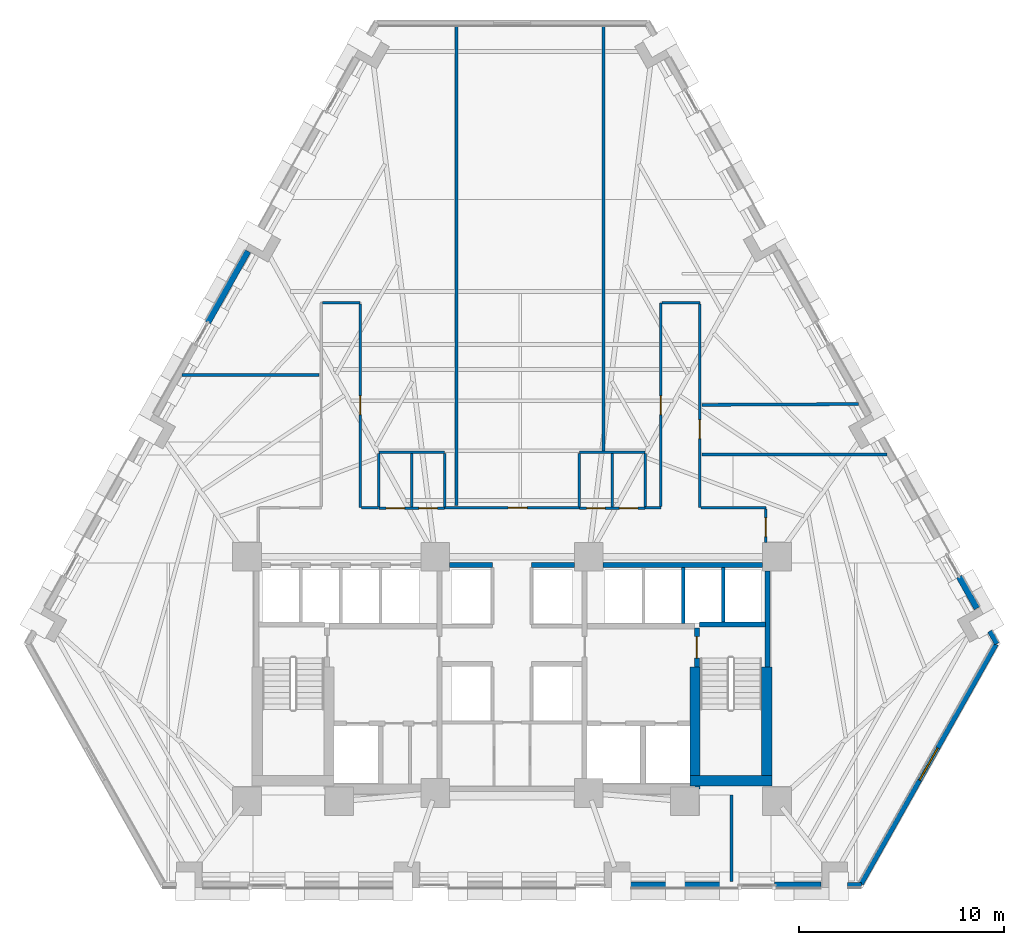
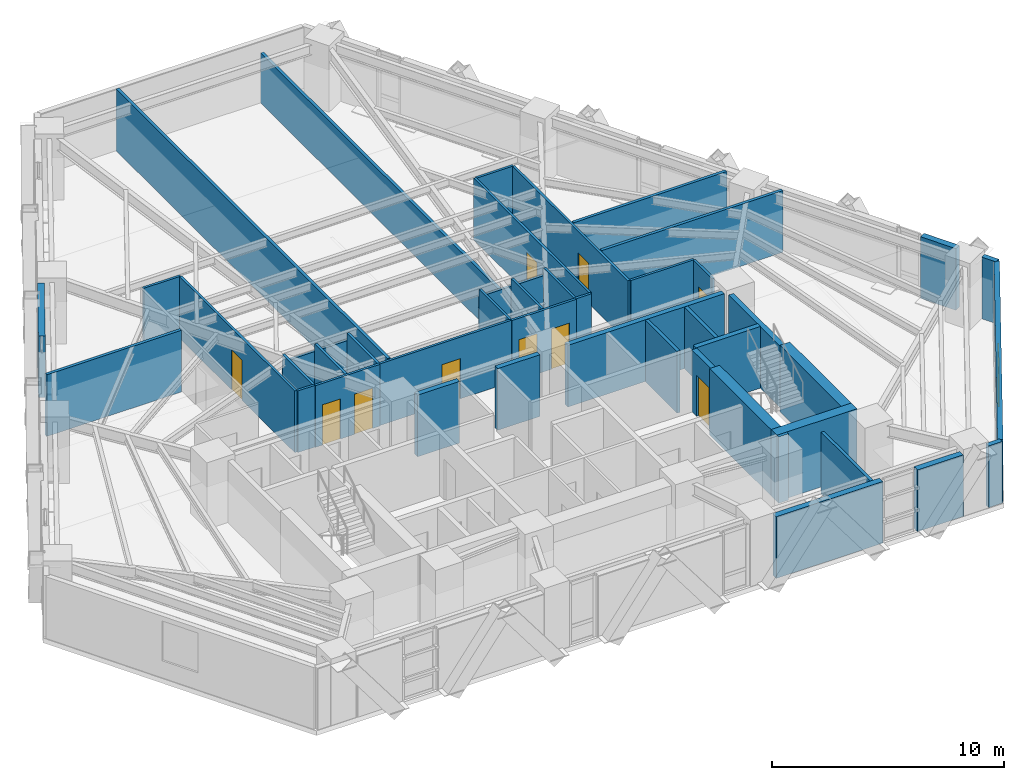
# One storey, part 8 of 13: 44 walls, 10 doors, 1 window, 11 openings.
"""IFC4 building model written with IfcOpenShell, lengths in metres."""

from ifc_helpers import new_model, si_unit, direction, frame, frame_2d, origin, place, context, subcontext, project, spatial, rectangle, extrude, material, layer, layer_set, type_object, element, fill, save


model = new_model("IFC4")

# Units and contexts
model_context = context("Model", 3, precision=1e-05, world=origin(), true_north=direction((0.0, 1.0)))
body_context = subcontext(model_context, "Body", "Model", "MODEL_VIEW")
ifc_project = project(units=[si_unit("LENGTHUNIT", "METRE"), si_unit("AREAUNIT", "SQUARE_METRE"), si_unit("VOLUMEUNIT", "CUBIC_METRE"), si_unit("PLANEANGLEUNIT", "RADIAN"), si_unit("MASSUNIT", "GRAM", prefix="KILO")], contexts=[model_context])

# Site, building, storey
site_placement = place(None, origin())
site = spatial("IfcSite", under=ifc_project, at=site_placement, CompositionType="ELEMENT")
building_placement = place(site_placement, origin())
building = spatial("IfcBuilding", under=site, at=building_placement, Name="Quenlor Broadcast Tower", CompositionType="ELEMENT")
storey_placement = place(building_placement, frame((0.0, 0.0, 66.10009765625)))
storey = spatial("IfcBuildingStorey", under=building, at=storey_placement, Name="L17", CompositionType="ELEMENT", Elevation=66.10009765625)

# Walls
ifc_material_1 = material(Name="Acoustic Double Stud Gypsum Partition", Category="other")
ifc_layer_1 = layer(ifc_material_1, 0.14990234375)
ifc_layer_set_1 = layer_set([ifc_layer_1], Name="Broadcast Studio Acoustic Partition 150")
wall_type_1 = type_object("IfcWallType", Name="Broadcast Studio Acoustic Partition 150", PredefinedType="PARTITIONING", material=ifc_layer_set_1)
wall_1_placement = place(storey_placement, frame((-2.719970703125, 21.14990234375, 0.0), z_axis=(0.0, 0.0, 1.0), x_axis=(0.0, -1.0, 0.0)))
element("IfcWall", 1, at=wall_1_placement, inside=storey, type_object=wall_type_1, Name="L17 Interior Wall PW-DV-01", PredefinedType="PARTITIONING", context=body_context, shape_type="SweptSolid", body=[
    extrude(rectangle(XDim=23.43994140625, YDim=0.14990234375, at=frame_2d((11.719970703125, 0.0))), origin(), (0.0, 0.0, 1.0), 3.25),
])
wall_2_placement = place(storey_placement, frame((-9.429931640625, 4.080078125, 0.0), z_axis=(0.0, 0.0, 1.0), x_axis=(-1.0, 0.0, 0.0)))
element("IfcWall", 2, at=wall_2_placement, inside=storey, type_object=wall_type_1, Name="L17 Interior Wall PW-DV-02", PredefinedType="PARTITIONING", context=body_context, shape_type="SweptSolid", body=[
    extrude(rectangle(XDim=6.70458984375, YDim=0.14990234375, at=frame_2d((3.352294921875, 0.0))), origin(), (0.0, 0.0, 1.0), 3.25),
])
wall_3_placement = place(storey_placement, frame((4.47998046875, 21.14990234375, 0.0), z_axis=(0.0, 0.0, 1.0), x_axis=(0.0, -1.0, 0.0)))
element("IfcWall", 3, at=wall_3_placement, inside=storey, type_object=wall_type_1, Name="L17 Interior Wall PW-DV-03", PredefinedType="PARTITIONING", context=body_context, shape_type="SweptSolid", body=[
    extrude(rectangle(XDim=20.77783203125, YDim=0.14990234375, at=frame_2d((10.388916015625, 0.0))), origin(), (0.0, 0.0, 1.0), 2.63818359375),
])
wall_4_placement = place(storey_placement, frame((16.93359375, 2.65966796875, 0.0), z_axis=(0.0, 0.0, 1.0), x_axis=(-0.999987104292, -0.005078508675, 0.0)))
element("IfcWall", 4, at=wall_4_placement, inside=storey, type_object=wall_type_1, Name="L17 Interior Wall PW-DV-04", PredefinedType="PARTITIONING", context=body_context, shape_type="SweptSolid", body=[
    extrude(rectangle(XDim=7.6435546875, YDim=0.14990234375, at=frame_2d((3.82177734375, 0.0))), origin(), (0.0, 0.0, 1.0), 3.25),
])
wall_5_placement = place(storey_placement, frame((18.317138671875, 0.19970703125, 0.0), z_axis=(0.0, 0.0, 1.0), x_axis=(-1.0, 0.0, 0.0)))
element("IfcWall", 5, at=wall_5_placement, inside=storey, type_object=wall_type_1, Name="L17 Interior Wall PW-DV-05", PredefinedType="PARTITIONING", context=body_context, shape_type="SweptSolid", body=[
    extrude(rectangle(XDim=9.027099609375, YDim=0.14990234375, at=frame_2d((4.513671875, 0.0))), origin(), (0.0, 0.0, 1.0), 3.25),
])
wall_6_placement = place(storey_placement, frame((10.72509765625, -20.68798828125, 0.0), z_axis=(0.0, 0.0, 1.0), x_axis=(0.0, 1.0, 0.0)))
element("IfcWall", 6, at=wall_6_placement, inside=storey, type_object=wall_type_1, Name="L17 Interior Wall PW-DV-06", PredefinedType="PARTITIONING", context=body_context, shape_type="SweptSolid", body=[
    extrude(rectangle(XDim=4.238037109375, YDim=0.14990234375, at=frame_2d((2.119140625, 0.0))), origin(), (0.0, 0.0, 1.0), 3.25),
])
ifc_material_2 = material(Name="Concrete C65/80", Category="concrete")
ifc_layer_2 = layer(ifc_material_2, 0.5)
ifc_layer_set_2 = layer_set([ifc_layer_2], Name="Core Concrete C65/80 Shear Wall 500")
wall_type_2 = type_object("IfcWallType", Name="Core Concrete C65/80 Shear Wall 500", PredefinedType="SHEAR", material=ifc_layer_set_2)
wall_7_placement = place(storey_placement, frame((8.699951171875, -15.75, 0.0), z_axis=(0.0, 0.0, 1.0), x_axis=(1.0, 0.0, 0.0)))
element("IfcWall", 7, at=wall_7_placement, inside=storey, type_object=wall_type_2, Name="L17 Core Shear Wall WS-E2", PredefinedType="SHEAR", context=body_context, shape_type="SweptSolid", body=[
    extrude(rectangle(XDim=4.0, YDim=0.5, at=frame_2d((2.0, 0.0))), origin(), (0.0, 0.0, 1.0), 3.5),
])
wall_8_placement = place(storey_placement, frame((12.449951171875, -15.75, 0.0), z_axis=(0.0, 0.0, 1.0), x_axis=(0.0, 1.0, 0.0)))
element("IfcWall", 8, at=wall_8_placement, inside=storey, type_object=wall_type_2, Name="L17 Core Shear Wall WF-E", PredefinedType="SHEAR", context=body_context, shape_type="SweptSolid", body=[
    extrude(rectangle(XDim=5.550048828125, YDim=0.5, at=frame_2d((2.77490234375, 0.0))), origin(), (0.0, 0.0, 1.0), 3.5),
])
wall_9_placement = place(storey_placement, frame((8.949951171875, -16.14990234375, 0.0), z_axis=(0.0, 0.0, 1.0), x_axis=(0.0, 1.0, 0.0)))
element("IfcWall", 9, at=wall_9_placement, inside=storey, type_object=wall_type_2, Name="L17 Core Shear Wall WI-E", PredefinedType="SHEAR", context=body_context, shape_type="SweptSolid", body=[
    extrude(rectangle(XDim=5.949951171875, YDim=0.5, at=frame_2d((2.97509765625, 0.0))), origin(), (0.0, 0.0, 1.0), 3.5),
])

# Wall, opening, door
ifc_material_3 = material(Name="Concrete C40/50", Category="concrete")
ifc_layer_3 = layer(ifc_material_3, 0.25)
ifc_layer_set_3 = layer_set([ifc_layer_3], Name="Fire Rated Concrete C40/50 Core Wall 250")
wall_type_3 = type_object("IfcWallType", Name="Fire Rated Concrete C40/50 Core Wall 250", PredefinedType="PARTITIONING", material=ifc_layer_set_3)
wall_10_placement = place(storey_placement, frame((9.0400390625, -10.179931640625, 0.0), z_axis=(0.0, 0.0, 1.0), x_axis=(0.0, 1.0, 0.0)))
wall_10 = element("IfcWall", 10, at=wall_10_placement, inside=storey, type_object=wall_type_3, Name="L17 Interior Wall CW-ST2-DR", PredefinedType="PARTITIONING", context=body_context, shape_type="SweptSolid", body=[
    extrude(rectangle(XDim=1.89990234375, YDim=0.25, at=frame_2d((0.949951171875, 0.0))), origin(), (0.0, 0.0, 1.0), 3.25),
])
opening_1_placement = place(wall_10_placement, frame((0.419921875, 0.0, 0.0)))
opening_1 = element("IfcOpeningElement", 11, at=opening_1_placement, cuts=wall_10, Name="Opening FD-1", PredefinedType="OPENING", context=body_context, shape_type="SweptSolid", body=[
    extrude(rectangle(XDim=1.050048828125, YDim=2.14990234375, at=frame_2d((0.52490234375, 1.074951171875))), frame((0.0, 0.135009765625, 0.0), z_axis=(0.0, -1.0, 0.0), x_axis=(1.0, 0.0, 0.0)), (0.0, 0.0, 1.0), 0.27001953125),
])
ifc_material_4 = material(Name="Fire Rated Steel Door Leaf", Category="steel")
door_type_1 = type_object("IfcDoorType", Name="Fire Isolated Stair Door 1050x2150", OperationType="NOTDEFINED", PredefinedType="DOOR", material=ifc_material_4)
door_1_placement = place(opening_1_placement, origin())
door_1 = element("IfcDoor", 12, at=door_1_placement, inside=storey, type_object=door_type_1, Name="L17 Door DR-ST2", OperationType="SINGLE_SWING_RIGHT", OverallHeight=2.14990234375, OverallWidth=1.050048828125, PredefinedType="DOOR", context=body_context, shape_type="SweptSolid", body=[
    extrude(rectangle(XDim=1.050048828125, YDim=2.14990234375, at=frame_2d((0.52490234375, 1.074951171875))), frame((0.0, 0.02490234375, 0.0), z_axis=(0.0, -1.0, 0.0), x_axis=(1.0, 0.0, 0.0)), (0.0, 0.0, 1.0), 0.050048828125),
])
fill(opening_1, door_1)

# Walls
wall_11_placement = place(storey_placement, frame((9.159912109375, -8.1201171875, 0.0), z_axis=(0.0, 0.0, 1.0), x_axis=(1.0, 0.0, 0.0)))
element("IfcWall", 13, at=wall_11_placement, inside=storey, type_object=wall_type_3, Name="L17 Interior Wall CW-ST2-N", PredefinedType="PARTITIONING", context=body_context, shape_type="SweptSolid", body=[
    extrude(rectangle(XDim=3.219970703125, YDim=0.25, at=frame_2d((1.60986328125, 0.0))), origin(), (0.0, 0.0, 1.0), 3.25),
])
wall_12_placement = place(storey_placement, frame((12.47998046875, -10.179931640625, 0.0), z_axis=(0.0, 0.0, 1.0), x_axis=(0.0, 1.0, 0.0)))
element("IfcWall", 14, at=wall_12_placement, inside=storey, type_object=wall_type_3, Name="L17 Interior Wall CW-ST2-E2", PredefinedType="PARTITIONING", context=body_context, shape_type="SweptSolid", body=[
    extrude(rectangle(XDim=4.677978515625, YDim=0.25, at=frame_2d((2.3388671875, 0.0))), origin(), (0.0, 0.0, 1.0), 3.25),
])
wall_13_placement = place(storey_placement, frame((4.451904296875, -5.199951171875, 0.0), z_axis=(0.0, 0.0, 1.0), x_axis=(1.0, 0.0, 0.0)))
element("IfcWall", 15, at=wall_13_placement, inside=storey, type_object=wall_type_3, Name="L17 Interior Wall CW-N-E", PredefinedType="PARTITIONING", context=body_context, shape_type="SweptSolid", body=[
    extrude(rectangle(XDim=7.796142578125, YDim=0.25, at=frame_2d((3.89794921875, 0.0))), origin(), (0.0, 0.0, 1.0), 3.25),
])
for number, where, z_axis, x_axis, name in (
    (16, (-3.048095703125, -5.199951171875, 0.0), (0.0, 0.0, 1.0), (1.0, 0.0, 0.0), "L17 Interior Wall CW-N-M1"),
    (17, (0.949951171875, -5.199951171875, 0.0), (0.0, 0.0, 1.0), (1.0, 0.0, 0.0), "L17 Interior Wall CW-N-M2"),
):
    element("IfcWall", number, at=place(storey_placement, frame(where, z_axis=z_axis, x_axis=x_axis)), inside=storey, type_object=wall_type_3, Name=name, PredefinedType="PARTITIONING", context=body_context, shape_type="SweptSolid", body=[
        extrude(rectangle(XDim=2.09814453125, YDim=0.25, at=frame_2d((1.049072265625, 0.0))), origin(), (0.0, 0.0, 1.0), 3.25),
    ])
ifc_material_5 = material(Name="Gypsum Fireboard Partition", Category="other")
ifc_layer_4 = layer(ifc_material_5, 0.159912109375)
ifc_layer_set_4 = layer_set([ifc_layer_4], Name="Fire Rated Shaft and Corridor Partition 160")
wall_type_4 = type_object("IfcWallType", Name="Fire Rated Shaft and Corridor Partition 160", PredefinedType="PARTITIONING", material=ifc_layer_set_4)
wall_14_placement = place(storey_placement, frame((8.375, -8.072998046875, 0.0), z_axis=(0.0, 0.0, 1.0), x_axis=(0.0, 1.0, 0.0)))
element("IfcWall", 18, at=wall_14_placement, inside=storey, type_object=wall_type_4, Name="L17 Interior Wall CW-PLH-D2", PredefinedType="PARTITIONING", context=body_context, shape_type="SweptSolid", body=[
    extrude(rectangle(XDim=2.73291015625, YDim=0.159912109375, at=frame_2d((1.366455078125, 0.0))), origin(), (0.0, 0.0, 1.0), 3.25),
])
wall_15_placement = place(storey_placement, frame((10.324951171875, -7.992919921875, 0.0), z_axis=(0.0, 0.0, 1.0), x_axis=(0.0, 1.0, 0.0)))
element("IfcWall", 19, at=wall_15_placement, inside=storey, type_object=wall_type_4, Name="L17 Interior Wall CW-PLH-D3", PredefinedType="PARTITIONING", context=body_context, shape_type="SweptSolid", body=[
    extrude(rectangle(XDim=2.65283203125, YDim=0.159912109375, at=frame_2d((1.326416015625, 0.0))), origin(), (0.0, 0.0, 1.0), 3.25),
])

# Wall, openings, doors
ifc_material_6 = material(Name="Gypsum Plasterboard Partition", Category="other")
ifc_layer_5 = layer(ifc_material_6, 0.1201171875)
ifc_layer_set_5 = layer_set([ifc_layer_5], Name="Standard Office Partition 120")
wall_type_5 = type_object("IfcWallType", Name="Standard Office Partition 120", PredefinedType="PARTITIONING", material=ifc_layer_set_5)
wall_16_placement = place(storey_placement, frame((-6.510009765625, -2.43994140625, 0.0), z_axis=(0.0, 0.0, 1.0), x_axis=(1.0, 0.0, 0.0)))
wall_16 = element("IfcWall", 20, at=wall_16_placement, inside=storey, type_object=wall_type_5, Name="L17 Interior Wall PW-WCW-S", PredefinedType="PARTITIONING", context=body_context, shape_type="SweptSolid", body=[
    extrude(rectangle(XDim=3.219970703125, YDim=0.1201171875, at=frame_2d((1.60986328125, 0.0))), origin(), (0.0, 0.0, 1.0), 3.25),
])
opening_2_placement = place(wall_16_placement, frame((0.360107421875, 0.0, 0.0)))
opening_2 = element("IfcOpeningElement", 21, at=opening_2_placement, cuts=wall_16, Name="Opening ID-3", PredefinedType="OPENING", context=body_context, shape_type="SweptSolid", body=[
    extrude(rectangle(XDim=0.89990234375, YDim=2.1201171875, at=frame_2d((0.449951171875, 1.06005859375))), frame((0.0, 0.070068359375, 0.0), z_axis=(0.0, -1.0, 0.0), x_axis=(1.0, 0.0, 0.0)), (0.0, 0.0, 1.0), 0.14013671875),
])
opening_3_placement = place(wall_16_placement, frame((1.9599609375, 0.0, 0.0)))
opening_3 = element("IfcOpeningElement", 22, at=opening_3_placement, cuts=wall_16, Name="Opening ID-3", PredefinedType="OPENING", context=body_context, shape_type="SweptSolid", body=[
    extrude(rectangle(XDim=0.89990234375, YDim=2.1201171875, at=frame_2d((0.449951171875, 1.06005859375))), frame((0.0, 0.070068359375, 0.0), z_axis=(0.0, -1.0, 0.0), x_axis=(1.0, 0.0, 0.0)), (0.0, 0.0, 1.0), 0.14013671875),
])
ifc_material_7 = material(Name="Moisture Resistant Timber Oak", Category="wood")
door_type_2 = type_object("IfcDoorType", Name="Washroom Privacy Door 900x2120", OperationType="NOTDEFINED", PredefinedType="DOOR", material=ifc_material_7)
door_2_placement = place(opening_2_placement, origin())
door_2 = element("IfcDoor", 23, at=door_2_placement, inside=storey, type_object=door_type_2, Name="L17 Door DR-AWC", OperationType="SINGLE_SWING_LEFT", OverallHeight=2.1201171875, OverallWidth=0.89990234375, PredefinedType="DOOR", context=body_context, shape_type="SweptSolid", body=[
    extrude(rectangle(XDim=0.89990234375, YDim=2.1201171875, at=frame_2d((0.449951171875, 1.06005859375))), frame((0.0, 0.02490234375, 0.0), z_axis=(0.0, -1.0, 0.0), x_axis=(1.0, 0.0, 0.0)), (0.0, 0.0, 1.0), 0.050048828125),
])
fill(opening_2, door_2)
door_3_placement = place(opening_3_placement, origin())
door_3 = element("IfcDoor", 24, at=door_3_placement, inside=storey, type_object=door_type_2, Name="L17 Door DR-SHW", OperationType="SINGLE_SWING_RIGHT", OverallHeight=2.1201171875, OverallWidth=0.89990234375, PredefinedType="DOOR", context=body_context, shape_type="SweptSolid", body=[
    extrude(rectangle(XDim=0.89990234375, YDim=2.1201171875, at=frame_2d((0.449951171875, 1.06005859375))), frame((0.0, 0.02490234375, 0.0), z_axis=(0.0, -1.0, 0.0), x_axis=(1.0, 0.0, 0.0)), (0.0, 0.0, 1.0), 0.050048828125),
])
fill(opening_3, door_3)

# Walls
wall_17_placement = place(storey_placement, frame((-6.510009765625, 0.31005859375, 0.0), z_axis=(0.0, 0.0, 1.0), x_axis=(1.0, 0.0, 0.0)))
element("IfcWall", 25, at=wall_17_placement, inside=storey, type_object=wall_type_5, Name="L17 Interior Wall PW-WCW-N", PredefinedType="PARTITIONING", context=body_context, shape_type="SweptSolid", body=[
    extrude(rectangle(XDim=3.219970703125, YDim=0.1201171875, at=frame_2d((1.60986328125, 0.0))), origin(), (0.0, 0.0, 1.0), 2.843505859375),
])
for number, where, z_axis, x_axis, name in (
    (26, (-6.510009765625, -2.3779296875, 0.0), (0.0, 0.0, 1.0), (0.0, 1.0, 0.0), "L17 Interior Wall PW-WCW-W"),
    (27, (-4.89990234375, -2.3779296875, 0.0), (0.0, 0.0, 1.0), (0.0, 1.0, 0.0), "L17 Interior Wall PW-WCW-M"),
    (28, (-3.2900390625, -2.3779296875, 0.0), (0.0, 0.0, 1.0), (0.0, 1.0, 0.0), "L17 Interior Wall PW-WCW-E"),
):
    element("IfcWall", number, at=place(storey_placement, frame(where, z_axis=z_axis, x_axis=x_axis)), inside=storey, type_object=wall_type_5, Name=name, PredefinedType="PARTITIONING", context=body_context, shape_type="SweptSolid", body=[
        extrude(rectangle(XDim=2.6259765625, YDim=0.1201171875, at=frame_2d((1.31298828125, 0.0))), origin(), (0.0, 0.0, 1.0), 3.25),
    ])

# Wall, openings, doors
wall_18_placement = place(storey_placement, frame((3.2900390625, -2.43994140625, 0.0), z_axis=(0.0, 0.0, 1.0), x_axis=(1.0, 0.0, 0.0)))
wall_18 = element("IfcWall", 29, at=wall_18_placement, inside=storey, type_object=wall_type_5, Name="L17 Interior Wall PW-WCE-S", PredefinedType="PARTITIONING", context=body_context, shape_type="SweptSolid", body=[
    extrude(rectangle(XDim=3.219970703125, YDim=0.1201171875, at=frame_2d((1.60986328125, 0.0))), origin(), (0.0, 0.0, 1.0), 3.25),
])
opening_4_placement = place(wall_18_placement, frame((0.360107421875, 0.0, 0.0)))
opening_4 = element("IfcOpeningElement", 30, at=opening_4_placement, cuts=wall_18, Name="Opening ID-3", PredefinedType="OPENING", context=body_context, shape_type="SweptSolid", body=[
    extrude(rectangle(XDim=0.89990234375, YDim=2.1201171875, at=frame_2d((0.449951171875, 1.06005859375))), frame((0.0, 0.070068359375, 0.0), z_axis=(0.0, -1.0, 0.0), x_axis=(1.0, 0.0, 0.0)), (0.0, 0.0, 1.0), 0.14013671875),
])
opening_5_placement = place(wall_18_placement, frame((1.9599609375, 0.0, 0.0)))
opening_5 = element("IfcOpeningElement", 31, at=opening_5_placement, cuts=wall_18, Name="Opening ID-3", PredefinedType="OPENING", context=body_context, shape_type="SweptSolid", body=[
    extrude(rectangle(XDim=0.89990234375, YDim=2.1201171875, at=frame_2d((0.449951171875, 1.06005859375))), frame((0.0, 0.070068359375, 0.0), z_axis=(0.0, -1.0, 0.0), x_axis=(1.0, 0.0, 0.0)), (0.0, 0.0, 1.0), 0.14013671875),
])
door_4_placement = place(opening_4_placement, origin())
door_4 = element("IfcDoor", 32, at=door_4_placement, inside=storey, type_object=door_type_2, Name="L17 Door DR-MWC", OperationType="SINGLE_SWING_LEFT", OverallHeight=2.1201171875, OverallWidth=0.89990234375, PredefinedType="DOOR", context=body_context, shape_type="SweptSolid", body=[
    extrude(rectangle(XDim=0.89990234375, YDim=2.1201171875, at=frame_2d((0.449951171875, 1.06005859375))), frame((0.0, 0.02490234375, 0.0), z_axis=(0.0, -1.0, 0.0), x_axis=(1.0, 0.0, 0.0)), (0.0, 0.0, 1.0), 0.050048828125),
])
fill(opening_4, door_4)
door_5_placement = place(opening_5_placement, origin())
door_5 = element("IfcDoor", 33, at=door_5_placement, inside=storey, type_object=door_type_2, Name="L17 Door DR-FWC", OperationType="SINGLE_SWING_RIGHT", OverallHeight=2.1201171875, OverallWidth=0.89990234375, PredefinedType="DOOR", context=body_context, shape_type="SweptSolid", body=[
    extrude(rectangle(XDim=0.89990234375, YDim=2.1201171875, at=frame_2d((0.449951171875, 1.06005859375))), frame((0.0, 0.02490234375, 0.0), z_axis=(0.0, -1.0, 0.0), x_axis=(1.0, 0.0, 0.0)), (0.0, 0.0, 1.0), 0.050048828125),
])
fill(opening_5, door_5)

# Walls
wall_19_placement = place(storey_placement, frame((3.2900390625, 0.31005859375, 0.0), z_axis=(0.0, 0.0, 1.0), x_axis=(1.0, 0.0, 0.0)))
element("IfcWall", 34, at=wall_19_placement, inside=storey, type_object=wall_type_5, Name="L17 Interior Wall PW-WCE-N", PredefinedType="PARTITIONING", context=body_context, shape_type="SweptSolid", body=[
    extrude(rectangle(XDim=3.219970703125, YDim=0.1201171875, at=frame_2d((1.60986328125, 0.0))), origin(), (0.0, 0.0, 1.0), 2.843505859375),
])
for number, where, z_axis, x_axis, name in (
    (35, (3.2900390625, -2.3779296875, 0.0), (0.0, 0.0, 1.0), (0.0, 1.0, 0.0), "L17 Interior Wall PW-WCE-W"),
    (36, (4.89990234375, -2.3779296875, 0.0), (0.0, 0.0, 1.0), (0.0, 1.0, 0.0), "L17 Interior Wall PW-WCE-M"),
    (37, (6.510009765625, -2.3779296875, 0.0), (0.0, 0.0, 1.0), (0.0, 1.0, 0.0), "L17 Interior Wall PW-WCE-E"),
):
    element("IfcWall", number, at=place(storey_placement, frame(where, z_axis=z_axis, x_axis=x_axis)), inside=storey, type_object=wall_type_5, Name=name, PredefinedType="PARTITIONING", context=body_context, shape_type="SweptSolid", body=[
        extrude(rectangle(XDim=2.6259765625, YDim=0.1201171875, at=frame_2d((1.31298828125, 0.0))), origin(), (0.0, 0.0, 1.0), 3.25),
    ])
wall_20_placement = place(storey_placement, frame((-9.258056640625, 7.610107421875, 0.0), z_axis=(0.0, 0.0, 1.0), x_axis=(1.0, 0.0, 0.0)))
element("IfcWall", 38, at=wall_20_placement, inside=storey, type_object=wall_type_5, Name="L17 Interior Wall PW-CR-04", PredefinedType="PARTITIONING", context=body_context, shape_type="SweptSolid", body=[
    extrude(rectangle(XDim=1.838134765625, YDim=0.1201171875, at=frame_2d((0.9189453125, 0.0))), origin(), (0.0, 0.0, 1.0), 3.25),
])

# Wall, opening, door
wall_21_placement = place(storey_placement, frame((-7.419921875, 7.548095703125, 0.0), z_axis=(0.0, 0.0, 1.0), x_axis=(0.0, -1.0, 0.0)))
wall_21 = element("IfcWall", 39, at=wall_21_placement, inside=storey, type_object=wall_type_5, Name="L17 Interior Wall PW-CR-05", PredefinedType="PARTITIONING", context=body_context, shape_type="SweptSolid", body=[
    extrude(rectangle(XDim=9.947998046875, YDim=0.1201171875, at=frame_2d((4.97412109375, 0.0))), origin(), (0.0, 0.0, 1.0), 3.25),
])
opening_6_placement = place(wall_21_placement, frame((4.48291015625, 0.0, 0.0)))
opening_6 = element("IfcOpeningElement", 40, at=opening_6_placement, cuts=wall_21, Name="Opening ID-1", PredefinedType="OPENING", context=body_context, shape_type="SweptSolid", body=[
    extrude(rectangle(XDim=0.919921875, YDim=2.1201171875, at=frame_2d((0.4599609375, 1.06005859375))), frame((0.0, 0.070068359375, 0.0), z_axis=(0.0, -1.0, 0.0), x_axis=(1.0, 0.0, 0.0)), (0.0, 0.0, 1.0), 0.14013671875),
])
ifc_material_8 = material(Name="Solid Core Timber Oak", Category="wood")
door_type_3 = type_object("IfcDoorType", Name="Single Leaf Timber Office Door 920x2120", OperationType="NOTDEFINED", PredefinedType="DOOR", material=ifc_material_8)
door_6_placement = place(opening_6_placement, origin())
door_6 = element("IfcDoor", 41, at=door_6_placement, inside=storey, type_object=door_type_3, Name="L17 Door DR-RM01", OperationType="SINGLE_SWING_RIGHT", OverallHeight=2.1201171875, OverallWidth=0.919921875, PredefinedType="DOOR", context=body_context, shape_type="SweptSolid", body=[
    extrude(rectangle(XDim=0.919921875, YDim=2.1201171875, at=frame_2d((0.4599609375, 1.06005859375))), frame((0.0, 0.02490234375, 0.0), z_axis=(0.0, -1.0, 0.0), x_axis=(1.0, 0.0, 0.0)), (0.0, 0.0, 1.0), 0.050048828125),
])
fill(opening_6, door_6)

# Wall
wall_22_placement = place(storey_placement, frame((-7.35791015625, -2.400634765625, 0.0), z_axis=(0.0, 0.0, 1.0), x_axis=(0.999938708153, -0.011071582433, 0.0)))
element("IfcWall", 42, at=wall_22_placement, inside=storey, type_object=wall_type_5, Name="L17 Interior Wall PW-CR-06", PredefinedType="PARTITIONING", context=body_context, shape_type="SweptSolid", body=[
    extrude(rectangle(XDim=0.837890625, YDim=0.1201171875, at=frame_2d((0.4189453125, 0.0))), origin(), (0.0, 0.0, 1.0), 3.25),
])

# Wall, opening, door
wall_23_placement = place(storey_placement, frame((-3.2880859375, -2.40771484375, 0.0), z_axis=(0.0, 0.0, 1.0), x_axis=(0.999999724346, 0.000742500538, 0.0)))
wall_23 = element("IfcWall", 43, at=wall_23_placement, inside=storey, type_object=wall_type_5, Name="L17 Interior Wall PW-CR-07", PredefinedType="PARTITIONING", context=body_context, shape_type="SweptSolid", body=[
    extrude(rectangle(XDim=6.576171875, YDim=0.1201171875, at=frame_2d((3.2880859375, 0.0))), origin(), (0.0, 0.0, 1.0), 3.25),
])
opening_7_placement = place(wall_23_placement, frame((3.10302734375, 0.0, 0.0)))
opening_7 = element("IfcOpeningElement", 44, at=opening_7_placement, cuts=wall_23, Name="Opening ID-1", PredefinedType="OPENING", context=body_context, shape_type="SweptSolid", body=[
    extrude(rectangle(XDim=0.919921875, YDim=2.1201171875, at=frame_2d((0.4599609375, 1.06005859375))), frame((0.0, 0.070068359375, 0.0), z_axis=(0.0, -1.0, 0.0), x_axis=(1.0, 0.0, 0.0)), (0.0, 0.0, 1.0), 0.14013671875),
])
door_7_placement = place(opening_7_placement, origin())
door_7 = element("IfcDoor", 45, at=door_7_placement, inside=storey, type_object=door_type_3, Name="L17 Door DR-RM02", OperationType="SINGLE_SWING_LEFT", OverallHeight=2.1201171875, OverallWidth=0.919921875, PredefinedType="DOOR", context=body_context, shape_type="SweptSolid", body=[
    extrude(rectangle(XDim=0.919921875, YDim=2.1201171875, at=frame_2d((0.4599609375, 1.06005859375))), frame((0.0, 0.02490234375, 0.0), z_axis=(0.0, -1.0, 0.0), x_axis=(1.0, 0.0, 0.0)), (0.0, 0.0, 1.0), 0.050048828125),
])
fill(opening_7, door_7)

# Wall
wall_24_placement = place(storey_placement, frame((6.511962890625, -2.400634765625, 0.0), z_axis=(0.0, 0.0, 1.0), x_axis=(0.999999545332, 0.000953591429, 0.0)))
element("IfcWall", 46, at=wall_24_placement, inside=storey, type_object=wall_type_5, Name="L17 Interior Wall PW-CR-07S2", PredefinedType="PARTITIONING", context=body_context, shape_type="SweptSolid", body=[
    extrude(rectangle(XDim=0.76806640625, YDim=0.1201171875, at=frame_2d((0.384033203125, 0.0))), origin(), (0.0, 0.0, 1.0), 3.25),
])

# Wall, opening, door
wall_25_placement = place(storey_placement, frame((7.280029296875, -2.337890625, 0.0), z_axis=(0.0, 0.0, 1.0), x_axis=(0.0, 1.0, 0.0)))
wall_25 = element("IfcWall", 47, at=wall_25_placement, inside=storey, type_object=wall_type_5, Name="L17 Interior Wall PW-CR-08", PredefinedType="PARTITIONING", context=body_context, shape_type="SweptSolid", body=[
    extrude(rectangle(XDim=9.947998046875, YDim=0.1201171875, at=frame_2d((4.97412109375, 0.0))), origin(), (0.0, 0.0, 1.0), 3.25),
])
opening_8_placement = place(wall_25_placement, frame((4.48291015625, 0.0, 0.0)))
opening_8 = element("IfcOpeningElement", 48, at=opening_8_placement, cuts=wall_25, Name="Opening ID-1", PredefinedType="OPENING", context=body_context, shape_type="SweptSolid", body=[
    extrude(rectangle(XDim=0.919921875, YDim=2.1201171875, at=frame_2d((0.4599609375, 1.06005859375))), frame((0.0, 0.070068359375, 0.0), z_axis=(0.0, -1.0, 0.0), x_axis=(1.0, 0.0, 0.0)), (0.0, 0.0, 1.0), 0.14013671875),
])
door_8_placement = place(opening_8_placement, origin())
door_8 = element("IfcDoor", 49, at=door_8_placement, inside=storey, type_object=door_type_3, Name="L17 Door DR-RM03", OperationType="SINGLE_SWING_RIGHT", OverallHeight=2.1201171875, OverallWidth=0.919921875, PredefinedType="DOOR", context=body_context, shape_type="SweptSolid", body=[
    extrude(rectangle(XDim=0.919921875, YDim=2.1201171875, at=frame_2d((0.4599609375, 1.06005859375))), frame((0.0, 0.02490234375, 0.0), z_axis=(0.0, -1.0, 0.0), x_axis=(1.0, 0.0, 0.0)), (0.0, 0.0, 1.0), 0.050048828125),
])
fill(opening_8, door_8)

# Wall
wall_26_placement = place(storey_placement, frame((7.342041015625, 7.610107421875, 0.0), z_axis=(0.0, 0.0, 1.0), x_axis=(1.0, 0.0, 0.0)))
element("IfcWall", 50, at=wall_26_placement, inside=storey, type_object=wall_type_5, Name="L17 Interior Wall PW-CR-09", PredefinedType="PARTITIONING", context=body_context, shape_type="SweptSolid", body=[
    extrude(rectangle(XDim=1.837890625, YDim=0.1201171875, at=frame_2d((0.9189453125, 0.0))), origin(), (0.0, 0.0, 1.0), 3.25),
])

# Wall, opening, door
wall_27_placement = place(storey_placement, frame((9.179931640625, 7.548095703125, 0.0), z_axis=(0.0, 0.0, 1.0), x_axis=(0.0, -1.0, 0.0)))
wall_27 = element("IfcWall", 51, at=wall_27_placement, inside=storey, type_object=wall_type_5, Name="L17 Interior Wall PW-CR-10", PredefinedType="PARTITIONING", context=body_context, shape_type="SweptSolid", body=[
    extrude(rectangle(XDim=9.947998046875, YDim=0.1201171875, at=frame_2d((4.97412109375, 0.0))), origin(), (0.0, 0.0, 1.0), 3.25),
])
opening_9_placement = place(wall_27_placement, frame((5.657958984375, 0.0, 0.0)))
opening_9 = element("IfcOpeningElement", 52, at=opening_9_placement, cuts=wall_27, Name="Opening ID-1", PredefinedType="OPENING", context=body_context, shape_type="SweptSolid", body=[
    extrude(rectangle(XDim=0.919921875, YDim=2.1201171875, at=frame_2d((0.4599609375, 1.06005859375))), frame((0.0, 0.070068359375, 0.0), z_axis=(0.0, -1.0, 0.0), x_axis=(1.0, 0.0, 0.0)), (0.0, 0.0, 1.0), 0.14013671875),
])
door_9_placement = place(opening_9_placement, origin())
door_9 = element("IfcDoor", 53, at=door_9_placement, inside=storey, type_object=door_type_3, Name="L17 Door DR-RM05", OperationType="SINGLE_SWING_RIGHT", OverallHeight=2.1201171875, OverallWidth=0.919921875, PredefinedType="DOOR", context=body_context, shape_type="SweptSolid", body=[
    extrude(rectangle(XDim=0.919921875, YDim=2.1201171875, at=frame_2d((0.4599609375, 1.06005859375))), frame((0.0, 0.02490234375, 0.0), z_axis=(0.0, -1.0, 0.0), x_axis=(1.0, 0.0, 0.0)), (0.0, 0.0, 1.0), 0.050048828125),
])
fill(opening_9, door_9)

# Wall
wall_28_placement = place(storey_placement, frame((9.241943359375, -2.39990234375, 0.0), z_axis=(0.0, 0.0, 1.0), x_axis=(1.0, 0.0, 0.0)))
element("IfcWall", 54, at=wall_28_placement, inside=storey, type_object=wall_type_5, Name="L17 Interior Wall PW-CR-11", PredefinedType="PARTITIONING", context=body_context, shape_type="SweptSolid", body=[
    extrude(rectangle(XDim=3.16796875, YDim=0.1201171875, at=frame_2d((1.583984375, 0.0))), origin(), (0.0, 0.0, 1.0), 3.25),
])

# Wall, opening, door
wall_29_placement = place(storey_placement, frame((12.409912109375, -2.4619140625, 0.0), z_axis=(0.0, 0.0, 1.0), x_axis=(0.0, -1.0, 0.0)))
wall_29 = element("IfcWall", 55, at=wall_29_placement, inside=storey, type_object=wall_type_5, Name="L17 Interior Wall PW-CR-12", PredefinedType="PARTITIONING", context=body_context, shape_type="SweptSolid", body=[
    extrude(rectangle(XDim=1.635986328125, YDim=0.1201171875, at=frame_2d((0.81787109375, 0.0))), origin(), (0.0, 0.0, 1.0), 3.25),
])
opening_10_placement = place(wall_29_placement, frame((0.443115234375, 0.0, 0.0)))
opening_10 = element("IfcOpeningElement", 56, at=opening_10_placement, cuts=wall_29, Name="Opening ID-1", PredefinedType="OPENING", context=body_context, shape_type="SweptSolid", body=[
    extrude(rectangle(XDim=0.919921875, YDim=2.1201171875, at=frame_2d((0.4599609375, 1.06005859375))), frame((0.0, 0.070068359375, 0.0), z_axis=(0.0, -1.0, 0.0), x_axis=(1.0, 0.0, 0.0)), (0.0, 0.0, 1.0), 0.14013671875),
])
door_10_placement = place(opening_10_placement, origin())
door_10 = element("IfcDoor", 57, at=door_10_placement, inside=storey, type_object=door_type_3, Name="L17 Door DR-RM06", OperationType="SINGLE_SWING_LEFT", OverallHeight=2.1201171875, OverallWidth=0.919921875, PredefinedType="DOOR", context=body_context, shape_type="SweptSolid", body=[
    extrude(rectangle(XDim=0.919921875, YDim=2.1201171875, at=frame_2d((0.4599609375, 1.06005859375))), frame((0.0, 0.02490234375, 0.0), z_axis=(0.0, -1.0, 0.0), x_axis=(1.0, 0.0, 0.0)), (0.0, 0.0, 1.0), 0.050048828125),
])
fill(opening_10, door_10)

# Walls
ifc_material_9 = material(Name="Precast concrete C40/50", Category="concrete")
ifc_layer_6 = layer(ifc_material_9, 0.239990234375)
ifc_layer_set_6 = layer_set([ifc_layer_6], Name="Terrace Threshold Precast Concrete C40/50 Wall 240")
wall_type_6 = type_object("IfcWallType", Name="Terrace Threshold Precast Concrete C40/50 Wall 240", PredefinedType="STANDARD", material=ifc_layer_set_6)
wall_30_placement = place(storey_placement, frame((17.075927734375, -20.840087890625, 0.0), z_axis=(0.0, 0.0, 1.0), x_axis=(-1.0, 0.0, 0.0)))
element("IfcWall", 58, at=wall_30_placement, inside=storey, type_object=wall_type_6, Name="L17 Exterior Wall L17-SHD-SS0", PredefinedType="STANDARD", context=body_context, shape_type="SweptSolid", body=[
    extrude(rectangle(XDim=0.680908203125, YDim=0.239990234375, at=frame_2d((0.34033203125, 0.0))), origin(), (0.0, 0.0, 1.0), 3.25),
])
wall_31_placement = place(storey_placement, frame((23.351806640625, -8.44091796875, 0.0), z_axis=(0.0, 0.0, 1.0), x_axis=(0.490523074758, -0.871428203084, 0.0)))
element("IfcWall", 59, at=wall_31_placement, inside=storey, type_object=wall_type_6, Name="L17 Exterior Wall L17-SHD-NES1", PredefinedType="STANDARD", context=body_context, shape_type="SweptSolid", body=[
    extrude(rectangle(XDim=0.708251953125, YDim=0.239990234375, at=frame_2d((0.35400390625, 0.0))), origin(), (0.0, 0.0, 1.0), 3.25),
])

# Wall, opening, window
wall_32_placement = place(storey_placement, frame((17.06689453125, -20.79638671875, 0.0), z_axis=(0.0, 0.0, 1.0), x_axis=(0.490268135177, 0.871571658345, 0.0)))
wall_32 = element("IfcWall", 60, at=wall_32_placement, inside=storey, type_object=wall_type_6, Name="L17 Exterior Wall L17-CNR-06", PredefinedType="STANDARD", context=body_context, shape_type="SweptSolid", body=[
    extrude(rectangle(XDim=13.44775390625, YDim=0.239990234375, at=frame_2d((6.723876953125, 0.0))), origin(), (0.0, 0.0, 1.0), 3.25),
])
opening_11_placement = place(wall_32_placement, frame((5.823974609375, 0.0, 0.89990234375)))
opening_11 = element("IfcOpeningElement", 61, at=opening_11_placement, cuts=wall_32, Name="Opening WN-1", PredefinedType="OPENING", context=body_context, shape_type="SweptSolid", body=[
    extrude(rectangle(XDim=1.800048828125, YDim=2.10009765625, at=frame_2d((0.89990234375, 1.050048828125))), frame((0.0, 0.1298828125, 0.0), z_axis=(0.0, -1.0, 0.0), x_axis=(1.0, 0.0, 0.0)), (0.0, 0.0, 1.0), 0.260009765625),
])
ifc_material_10 = material(Name="Thermally Broken Aluminium and Low-E Glass", Category="aluminium")
window_type = type_object("IfcWindowType", Name="Tower Acoustic Vision Window 1800x2100", PartitioningType="SINGLE_PANEL", PredefinedType="WINDOW", material=ifc_material_10)
window_placement = place(opening_11_placement, origin())
window = element("IfcWindow", 62, at=window_placement, inside=storey, type_object=window_type, Name="L17 Corner Chamfer Window 6", OverallHeight=2.10009765625, OverallWidth=1.800048828125, PartitioningType="SINGLE_PANEL", PredefinedType="WINDOW", context=body_context, shape_type="SweptSolid", body=[
    extrude(rectangle(XDim=1.800048828125, YDim=2.10009765625, at=frame_2d((0.89990234375, 1.050048828125))), frame((0.0, 0.030029296875, 0.0), z_axis=(0.0, -1.0, 0.0), x_axis=(1.0, 0.0, 0.0)), (0.0, 0.0, 1.0), 0.06005859375),
])
fill(opening_11, window)

# Walls
ifc_material_11 = material(Name="Precast concrete C40/50", Category="concrete")
ifc_layer_7 = layer(ifc_material_11, 0.300048828125)
ifc_layer_set_7 = layer_set([ifc_layer_7], Name="Terracotta Precast Concrete C40/50 Spandrel Wall 300")
wall_type_7 = type_object("IfcWallType", Name="Terracotta Precast Concrete C40/50 Spandrel Wall 300", PredefinedType="STANDARD", material=ifc_layer_set_7)
wall_33_placement = place(storey_placement, frame((15.114990234375, -20.840087890625, 0.0), z_axis=(0.0, 0.0, 1.0), x_axis=(-1.0, 0.0, 0.0)))
element("IfcWall", 63, at=wall_33_placement, inside=storey, type_object=wall_type_7, Name="L17 Exterior Wall L17-SA-SP1", PredefinedType="STANDARD", context=body_context, shape_type="SweptSolid", body=[
    extrude(rectangle(XDim=2.280029296875, YDim=0.300048828125, at=frame_2d((1.14013671875, 0.0))), origin(), (0.0, 0.0, 1.0), 3.25),
])
wall_34_placement = place(storey_placement, frame((11.106689453125, -20.840087890625, 0.0), z_axis=(0.0, 0.0, 1.0), x_axis=(-1.0, 0.0, 0.0)))
element("IfcWall", 64, at=wall_34_placement, inside=storey, type_object=wall_type_7, Name="L17 Exterior Wall L17-SA-SP2", PredefinedType="STANDARD", context=body_context, shape_type="SweptSolid", body=[
    extrude(rectangle(XDim=5.31591796875, YDim=0.300048828125, at=frame_2d((2.657958984375, 0.0))), origin(), (0.0, 0.0, 1.0), 3.25),
])
wall_35_placement = place(storey_placement, frame((21.85009765625, -5.77099609375, 0.0), z_axis=(0.0, 0.0, 1.0), x_axis=(0.490274239922, -0.871568224334, 0.0)))
element("IfcWall", 65, at=wall_35_placement, inside=storey, type_object=wall_type_7, Name="L17 Exterior Wall L17-NEC-SP2", PredefinedType="STANDARD", context=body_context, shape_type="SweptSolid", body=[
    extrude(rectangle(XDim=1.783203125, YDim=0.300048828125, at=frame_2d((0.8916015625, 0.0))), origin(), (0.0, 0.0, 1.0), 3.25),
])
wall_36_placement = place(storey_placement, frame((-14.864501953125, 6.647705078125, 0.0), z_axis=(0.0, 0.0, 1.0), x_axis=(0.490275749717, 0.871567375043, 0.0)))
element("IfcWall", 66, at=wall_36_placement, inside=storey, type_object=wall_type_7, Name="L17 Exterior Wall L17-NW-SP2", PredefinedType="STANDARD", context=body_context, shape_type="SweptSolid", body=[
    extrude(rectangle(XDim=3.994140625, YDim=0.300048828125, at=frame_2d((1.9970703125, 0.0))), origin(), (0.0, 0.0, 1.0), 3.25),
])

save(model, "model.ifc")
